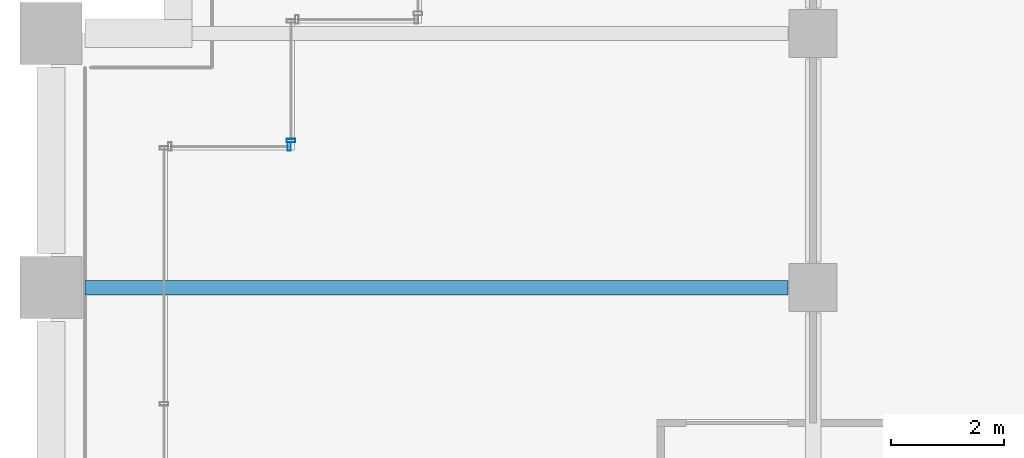
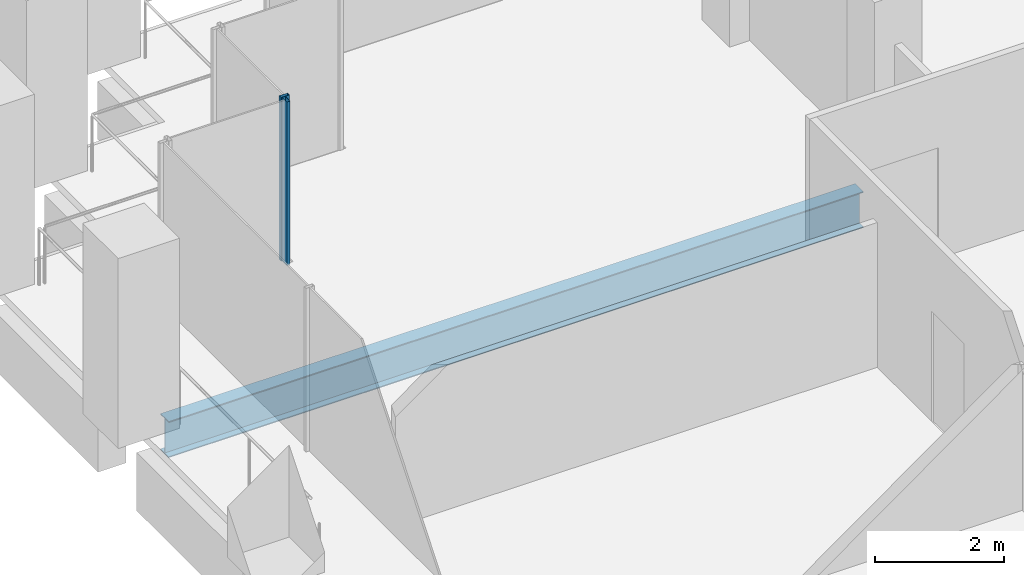
# One storey, part 24 of 55: 2 members, 1 beam, 2 elements without a shape of their own.
"""IFC4 building model written with IfcOpenShell, lengths in metres."""

from ifc_helpers import new_model, si_unit, direction, frame, origin, origin_2d, place, context, subcontext, project, spatial, hollow_rectangle, i_section, extrude, material, material_profile, profile_set, type_object, element, aggregate, save


model = new_model("IFC4")

# Units and contexts
model_context = context("Model", 3, precision=1e-05, world=origin(), true_north=direction((0.0, 1.0)))
body_context = subcontext(model_context, "Body", "Model", "MODEL_VIEW")
ifc_project = project(units=[si_unit("LENGTHUNIT", "METRE"), si_unit("AREAUNIT", "SQUARE_METRE"), si_unit("VOLUMEUNIT", "CUBIC_METRE"), si_unit("PLANEANGLEUNIT", "RADIAN"), si_unit("MASSUNIT", "GRAM", prefix="KILO")], contexts=[model_context])

# Site, building, storey
site_placement = place(None, origin())
site = spatial("IfcSite", under=ifc_project, at=site_placement, CompositionType="ELEMENT")
building_placement = place(site_placement, origin())
building = spatial("IfcBuilding", under=site, at=building_placement, Name="Altepetl Exchange Towers", CompositionType="ELEMENT")
storey_placement = place(building_placement, frame((0.0, 0.0, 47.39990234375)))
storey = spatial("IfcBuildingStorey", under=building, at=storey_placement, Name="L10", CompositionType="ELEMENT", Elevation=47.39990234375)

# Beam
ifc_material_1 = material(Name="Steel S355", Category="steel")
ifc_material_profile_1 = material_profile(ifc_material_1, i_section(OverallWidth=0.25390625, OverallDepth=0.68408203125, WebThickness=0.012451171875, FlangeThickness=0.018798828125, at=origin_2d()), Name="W27X94")
ifc_profile_set_1 = profile_set([ifc_material_profile_1], Name="Steel S355")
beam_type = type_object("IfcBeamType", Name="Floor beam W27X94", PredefinedType="BEAM", material=ifc_profile_set_1)
beam_placement = place(storey_placement, frame((27.60009765625, 63.0, -0.491943359375), z_axis=(1.0, 0.0, 0.0), x_axis=(0.0, 1.0, 0.0)))
element("IfcBeam", 1, at=beam_placement, inside=storey, type_object=beam_type, Name="bm:A:L10:022", PredefinedType="BEAM", context=body_context, shape_type="SweptSolid", body=[
    extrude(i_section(OverallWidth=0.25390625, OverallDepth=0.68408203125, WebThickness=0.012451171875, FlangeThickness=0.018798828125, at=origin_2d()), origin(), (0.0, 0.0, 1.0), 12.449951171875),
])

# Curtain wall, member
ifc_material_2 = material(Name="Aluminium 6063-T6 glazing", Category="aluminium")
curtain_wall_type = type_object("IfcCurtainWallType", Name="Loggia glazing system", PredefinedType="NOTDEFINED", material=ifc_material_2)
curtain_wall_1_placement = place(storey_placement, origin())
curtain_wall_1 = element("IfcCurtainWall", 2, at=curtain_wall_1_placement, inside=storey, type_object=curtain_wall_type, Name="CW1 run", PredefinedType="NOTDEFINED")
ifc_material_3 = material(Name="Aluminium 6063-T6", Category="aluminium")
ifc_material_profile_2 = material_profile(ifc_material_3, hollow_rectangle(XDim=0.06005859375, YDim=0.14990234375, WallThickness=0.0029296875, at=origin_2d()), Name="Mullion 60x150 aluminium")
ifc_profile_set_2 = profile_set([ifc_material_profile_2], Name="Aluminium 6063-T6")
member_type = type_object("IfcMemberType", Name="Mullion 60x150 aluminium", PredefinedType="MULLION", material=ifc_profile_set_2)
member_1_placement = place(storey_placement, frame((31.219970703125, 65.5, 0.0), z_axis=(0.0, 0.0, 1.0), x_axis=(-1.0, 0.0, 0.0)))
member_1 = element("IfcMember", 3, at=member_1_placement, type_object=member_type, Name="MU1 mullion", PredefinedType="MULLION", context=body_context, shape_type="SweptSolid", body=[
    extrude(hollow_rectangle(XDim=0.06005859375, YDim=0.14990234375, WallThickness=0.0029296875, at=origin_2d()), origin(), (0.0, 0.0, 1.0), 3.10009765625),
])
aggregate(curtain_wall_1, [member_1])

curtain_wall_2_placement = place(storey_placement, origin())
curtain_wall_2 = element("IfcCurtainWall", 4, at=curtain_wall_2_placement, inside=storey, type_object=curtain_wall_type, Name="CW1 run", PredefinedType="NOTDEFINED")
member_2_placement = place(storey_placement, frame((31.25, 65.60498046875, 0.0), z_axis=(0.0, 0.0, 1.0), x_axis=(0.0, -1.0, 0.0)))
member_2 = element("IfcMember", 5, at=member_2_placement, type_object=member_type, Name="MU1 mullion", PredefinedType="MULLION", context=body_context, shape_type="SweptSolid", body=[
    extrude(hollow_rectangle(XDim=0.06005859375, YDim=0.14990234375, WallThickness=0.0029296875, at=origin_2d()), origin(), (0.0, 0.0, 1.0), 3.10009765625),
])
aggregate(curtain_wall_2, [member_2])

save(model, "model.ifc")
